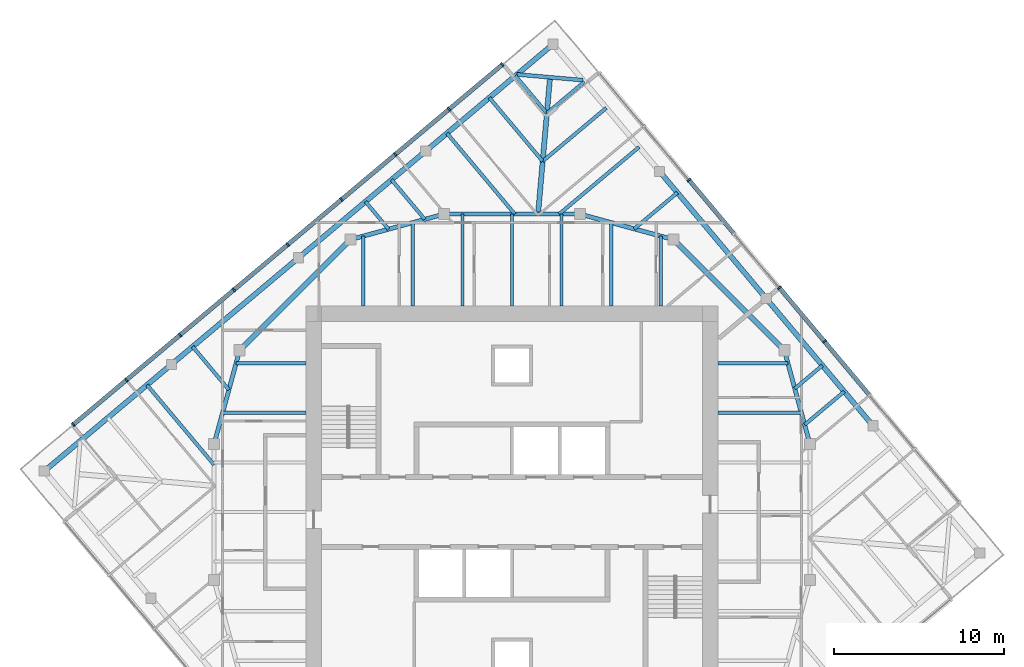
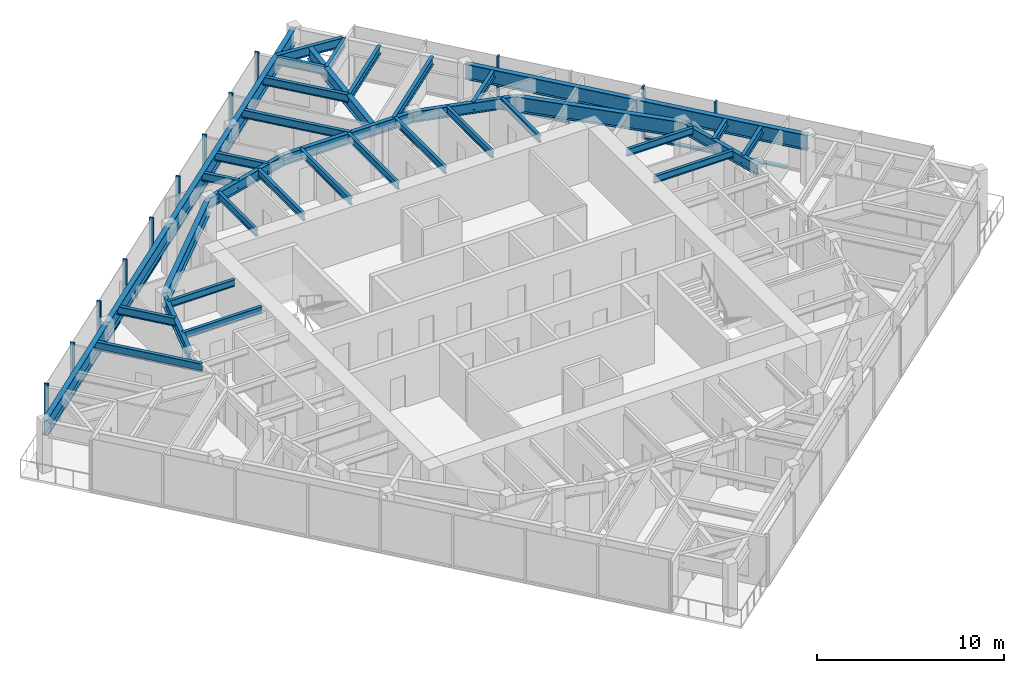
# One storey, part 4 of 11: 39 beams, 23 members, 2 elements without a shape of their own.
"""IFC4 building model written with IfcOpenShell, lengths in metres."""

from ifc_helpers import new_model, si_unit, direction, frame, origin, origin_2d, place, context, subcontext, project, spatial, rectangle, i_section, extrude, material, material_profile, profile_set, type_object, element, aggregate, save


model = new_model("IFC4")

# Units and contexts
model_context = context("Model", 3, precision=1e-05, world=origin(), true_north=direction((0.0, 1.0)))
body_context = subcontext(model_context, "Body", "Model", "MODEL_VIEW")
ifc_project = project(units=[si_unit("LENGTHUNIT", "METRE"), si_unit("AREAUNIT", "SQUARE_METRE"), si_unit("VOLUMEUNIT", "CUBIC_METRE"), si_unit("PLANEANGLEUNIT", "RADIAN"), si_unit("MASSUNIT", "GRAM", prefix="KILO")], contexts=[model_context])

# Site, building, storey
site_placement = place(None, origin())
site = spatial("IfcSite", under=ifc_project, at=site_placement, CompositionType="ELEMENT")
building_placement = place(site_placement, origin())
building = spatial("IfcBuilding", under=site, at=building_placement, Name="Torsade Residences", CompositionType="ELEMENT")
storey_placement = place(building_placement, frame((0.0, 0.0, 272.60009765625)))
storey = spatial("IfcBuildingStorey", under=building, at=storey_placement, Name="L75", CompositionType="ELEMENT", Elevation=272.60009765625)

# Beams
ifc_material_1 = material(Name="Steel grade 300", Category="steel")
ifc_material_profile_1 = material_profile(ifc_material_1, i_section(OverallWidth=0.300048828125, OverallDepth=0.800048828125, WebThickness=0.010009765625, FlangeThickness=0.02001953125, at=origin_2d()), Name="800WB146")
ifc_profile_set_1 = profile_set([ifc_material_profile_1], Name="Steel grade 300")
beam_type_1 = type_object("IfcBeamType", Name="CORNER GIRDER 800WB146", PredefinedType="BEAM", material=ifc_profile_set_1)
beam_1_placement = place(storey_placement, frame((42.234130859375, 55.53515625, 2.849853515625), z_axis=(-0.087172957961, -0.996193191806, 0.0), x_axis=(0.996193191806, -0.087172957961, 0.0)))
element("IfcBeam", 1, at=beam_1_placement, inside=storey, type_object=beam_type_1, Name="Corner girder 09 L76", PredefinedType="BEAM", context=body_context, shape_type="SweptSolid", body=[
    extrude(i_section(OverallWidth=0.300048828125, OverallDepth=0.800048828125, WebThickness=0.010009765625, FlangeThickness=0.02001953125, at=origin_2d()), origin(), (0.0, 0.0, 1.0), 8.06591796875),
])
ifc_material_2 = material(Name="Steel grade 300", Category="steel")
ifc_material_profile_2 = material_profile(ifc_material_2, i_section(OverallWidth=0.22802734375, OverallDepth=0.60205078125, WebThickness=0.010498046875, FlangeThickness=0.014892578125, FilletRadius=0.013916015625, at=origin_2d()), Name="610UB101")
ifc_profile_set_2 = profile_set([ifc_material_profile_2], Name="Steel grade 300")
beam_type_2 = type_object("IfcBeamType", Name="CORNER TRIMMER 610UB101", PredefinedType="BEAM", material=ifc_profile_set_2)
beam_2_placement = place(storey_placement, frame((40.296875, 55.70458984375, 2.948974609375), z_axis=(0.996196646947, -0.087133464362, 0.0), x_axis=(0.087133464362, 0.996196646947, 0.0)))
element("IfcBeam", 2, at=beam_2_placement, inside=storey, type_object=beam_type_2, Name="Corner trimmer 09 L76", PredefinedType="BEAM", context=body_context, shape_type="SweptSolid", body=[
    extrude(i_section(OverallWidth=0.22802734375, OverallDepth=0.60205078125, WebThickness=0.010498046875, FlangeThickness=0.014892578125, FilletRadius=0.013916015625, at=origin_2d()), origin(), (0.0, 0.0, 1.0), 3.88916015625),
])
ifc_material_3 = material(Name="Steel grade 300", Category="steel")
ifc_material_profile_3 = material_profile(ifc_material_3, i_section(OverallWidth=0.300048828125, OverallDepth=1.0, WebThickness=0.01611328125, FlangeThickness=0.028076171875, at=origin_2d()), Name="1000WB215")
ifc_profile_set_3 = profile_set([ifc_material_profile_3], Name="Steel grade 300")
beam_type_3 = type_object("IfcBeamType", Name="EDGE BEAM 1000WB215", PredefinedType="SPANDREL", material=ifc_profile_set_3)
for number, where, z_axis, x_axis, name in (
    (3, (61.205078125, 35.0654296875, 2.75), (-0.642779160279, 0.766051532934, 0.0), (-0.766051532934, -0.642779160279, 0.0), "Edge beam 06 L76"),
    (4, (54.93798828125, 42.534423828125, 2.75), (-0.642806184154, 0.766028856906, 0.0), (-0.766028856906, -0.642806184154, 0.0), "Edge beam 07 L76"),
    (5, (42.403564453125, 57.47216796875, 2.75), (-0.766051532934, -0.642779160279, 0.0), (0.642779160279, -0.766051532934, 0.0), "Edge beam 09 L76"),
    (6, (34.9345703125, 51.205078125, 2.75), (-0.766051532934, -0.642779160279, 0.0), (0.642779160279, -0.766051532934, 0.0), "Edge beam 10 L76"),
    (7, (27.465576171875, 44.93798828125, 2.75), (-0.766028856906, -0.642806184154, 0.0), (0.642806184154, -0.766028856906, 0.0), "Edge beam 11 L76"),
    (8, (19.996826171875, 38.670654296875, 2.75), (-0.766051532934, -0.642779160279, 0.0), (0.642779160279, -0.766051532934, 0.0), "Edge beam 12 L76"),
):
    element("IfcBeam", number, at=place(storey_placement, frame(where, z_axis=z_axis, x_axis=x_axis)), inside=storey, type_object=beam_type_3, Name=name, PredefinedType="SPANDREL", context=body_context, shape_type="SweptSolid", body=[
        extrude(i_section(OverallWidth=0.300048828125, OverallDepth=1.0, WebThickness=0.01611328125, FlangeThickness=0.028076171875, at=origin_2d()), origin(), (0.0, 0.0, 1.0), 9.75),
    ])

# Curtain wall, members
ifc_material_4 = material(Name="Aluminium and glass", Category="aluminium")
curtain_wall_type = type_object("IfcCurtainWallType", Name="FRITTED GLASS CURTAIN WALL HIGH ZONE", PredefinedType="NOTDEFINED", material=ifc_material_4)
curtain_wall_1_placement = place(storey_placement, origin())
curtain_wall_1 = element("IfcCurtainWall", 9, at=curtain_wall_1_placement, inside=storey, type_object=curtain_wall_type, Name="Curtain wall L75 face 4", PredefinedType="NOTDEFINED")
ifc_material_5 = material(Name="Aluminium mullion", Category="aluminium")
ifc_material_profile_4 = material_profile(ifc_material_5, rectangle(XDim=0.25, YDim=0.10009765625, at=origin_2d()), Name="HIGH ZONE CURTAIN WALL MULLION 250x100")
ifc_profile_set_4 = profile_set([ifc_material_profile_4], Name="Aluminium mullion")
member_type_1 = type_object("IfcMemberType", Name="HIGH ZONE CURTAIN WALL MULLION 250x100", PredefinedType="MULLION", material=ifc_profile_set_4)
member_1_placement = place(storey_placement, frame((58.35546875, 40.017333984375, 0.0), z_axis=(0.0, 0.0, 1.0), x_axis=(-0.766044437106, -0.642787616853, 0.0)))
member_1 = element("IfcMember", 10, at=member_1_placement, type_object=member_type_1, Name="Mullion 4", PredefinedType="MULLION", context=body_context, shape_type="SweptSolid", body=[
    extrude(rectangle(XDim=0.25, YDim=0.10009765625, at=origin_2d()), origin(), (0.0, 0.0, 1.0), 3.39990234375),
])
member_2_placement = place(storey_placement, frame((55.703857421875, 43.17724609375, 0.0), z_axis=(0.0, 0.0, 1.0), x_axis=(-0.766044437106, -0.642787616853, 0.0)))
member_2 = element("IfcMember", 11, at=member_2_placement, type_object=member_type_1, Name="Mullion 5", PredefinedType="MULLION", context=body_context, shape_type="SweptSolid", body=[
    extrude(rectangle(XDim=0.25, YDim=0.10009765625, at=origin_2d()), origin(), (0.0, 0.0, 1.0), 3.39990234375),
])
member_3_placement = place(storey_placement, frame((50.40087890625, 49.4970703125, 0.0), z_axis=(0.0, 0.0, 1.0), x_axis=(-0.766044437106, -0.642787616853, 0.0)))
member_3 = element("IfcMember", 12, at=member_3_placement, type_object=member_type_1, Name="Mullion 7", PredefinedType="MULLION", context=body_context, shape_type="SweptSolid", body=[
    extrude(rectangle(XDim=0.25, YDim=0.10009765625, at=origin_2d()), origin(), (0.0, 0.0, 1.0), 3.39990234375),
])

curtain_wall_2_placement = place(storey_placement, origin())
curtain_wall_2 = element("IfcCurtainWall", 13, at=curtain_wall_2_placement, inside=storey, type_object=curtain_wall_type, Name="Curtain wall L75 face 7", PredefinedType="NOTDEFINED")
member_4_placement = place(storey_placement, frame((39.42431640625, 56.27783203125, 0.0), z_axis=(0.0, 0.0, 1.0), x_axis=(0.642787616853, -0.766044437106, 0.0)))
member_4 = element("IfcMember", 14, at=member_4_placement, type_object=member_type_1, Name="Mullion 1", PredefinedType="MULLION", context=body_context, shape_type="SweptSolid", body=[
    extrude(rectangle(XDim=0.25, YDim=0.10009765625, at=origin_2d()), origin(), (0.0, 0.0, 1.0), 3.39990234375),
])
member_5_placement = place(storey_placement, frame((36.302734375, 53.658447265625, 0.0), z_axis=(0.0, 0.0, 1.0), x_axis=(0.642787616853, -0.766044437106, 0.0)))
member_5 = element("IfcMember", 15, at=member_5_placement, type_object=member_type_1, Name="Mullion 2", PredefinedType="MULLION", context=body_context, shape_type="SweptSolid", body=[
    extrude(rectangle(XDim=0.25, YDim=0.10009765625, at=origin_2d()), origin(), (0.0, 0.0, 1.0), 3.39990234375),
])
member_6_placement = place(storey_placement, frame((33.142822265625, 51.0068359375, 0.0), z_axis=(0.0, 0.0, 1.0), x_axis=(0.642787616853, -0.766044437106, 0.0)))
member_6 = element("IfcMember", 16, at=member_6_placement, type_object=member_type_1, Name="Mullion 3", PredefinedType="MULLION", context=body_context, shape_type="SweptSolid", body=[
    extrude(rectangle(XDim=0.25, YDim=0.10009765625, at=origin_2d()), origin(), (0.0, 0.0, 1.0), 3.39990234375),
])
member_7_placement = place(storey_placement, frame((29.982666015625, 48.35546875, 0.0), z_axis=(0.0, 0.0, 1.0), x_axis=(0.642787616853, -0.766044437106, 0.0)))
member_7 = element("IfcMember", 17, at=member_7_placement, type_object=member_type_1, Name="Mullion 4", PredefinedType="MULLION", context=body_context, shape_type="SweptSolid", body=[
    extrude(rectangle(XDim=0.25, YDim=0.10009765625, at=origin_2d()), origin(), (0.0, 0.0, 1.0), 3.39990234375),
])
member_8_placement = place(storey_placement, frame((26.82275390625, 45.703857421875, 0.0), z_axis=(0.0, 0.0, 1.0), x_axis=(0.642787616853, -0.766044437106, 0.0)))
member_8 = element("IfcMember", 18, at=member_8_placement, type_object=member_type_1, Name="Mullion 5", PredefinedType="MULLION", context=body_context, shape_type="SweptSolid", body=[
    extrude(rectangle(XDim=0.25, YDim=0.10009765625, at=origin_2d()), origin(), (0.0, 0.0, 1.0), 3.39990234375),
])
member_9_placement = place(storey_placement, frame((23.662841796875, 43.052490234375, 0.0), z_axis=(0.0, 0.0, 1.0), x_axis=(0.642787616853, -0.766044437106, 0.0)))
member_9 = element("IfcMember", 19, at=member_9_placement, type_object=member_type_1, Name="Mullion 6", PredefinedType="MULLION", context=body_context, shape_type="SweptSolid", body=[
    extrude(rectangle(XDim=0.25, YDim=0.10009765625, at=origin_2d()), origin(), (0.0, 0.0, 1.0), 3.39990234375),
])
member_10_placement = place(storey_placement, frame((20.5029296875, 40.40087890625, 0.0), z_axis=(0.0, 0.0, 1.0), x_axis=(0.642787616853, -0.766044437106, 0.0)))
member_10 = element("IfcMember", 20, at=member_10_placement, type_object=member_type_1, Name="Mullion 7", PredefinedType="MULLION", context=body_context, shape_type="SweptSolid", body=[
    extrude(rectangle(XDim=0.25, YDim=0.10009765625, at=origin_2d()), origin(), (0.0, 0.0, 1.0), 3.39990234375),
])
member_11_placement = place(storey_placement, frame((17.343017578125, 37.74951171875, 0.0), z_axis=(0.0, 0.0, 1.0), x_axis=(0.642787616853, -0.766044437106, 0.0)))
member_11 = element("IfcMember", 21, at=member_11_placement, type_object=member_type_1, Name="Mullion 8", PredefinedType="MULLION", context=body_context, shape_type="SweptSolid", body=[
    extrude(rectangle(XDim=0.25, YDim=0.10009765625, at=origin_2d()), origin(), (0.0, 0.0, 1.0), 3.39990234375),
])
member_12_placement = place(storey_placement, frame((14.221435546875, 35.130126953125, 0.0), z_axis=(0.0, 0.0, 1.0), x_axis=(0.642787616853, -0.766044437106, 0.0)))
member_12 = element("IfcMember", 22, at=member_12_placement, type_object=member_type_1, Name="Mullion 9", PredefinedType="MULLION", context=body_context, shape_type="SweptSolid", body=[
    extrude(rectangle(XDim=0.25, YDim=0.10009765625, at=origin_2d()), origin(), (0.0, 0.0, 1.0), 3.39990234375),
])

# Member
ifc_material_6 = material(Name="Aluminium transom", Category="aluminium")
ifc_material_profile_5 = material_profile(ifc_material_6, rectangle(XDim=0.25, YDim=0.1201171875, at=origin_2d()), Name="HIGH ZONE CURTAIN WALL TRANSOM 250x120")
ifc_profile_set_5 = profile_set([ifc_material_profile_5], Name="Aluminium transom")
member_type_2 = type_object("IfcMemberType", Name="HIGH ZONE CURTAIN WALL TRANSOM 250x120", PredefinedType="USERDEFINED", material=ifc_profile_set_5)
member_13_placement = place(storey_placement, frame((60.974853515625, 36.8955078125, 0.059814453125), z_axis=(-0.642793719372, 0.766039316443, 0.0), x_axis=(-0.766039316443, -0.642793719372, 0.0)))
member_13 = element("IfcMember", 23, at=member_13_placement, type_object=member_type_2, Name="Transom 3.1", ObjectType="TRANSOM", PredefinedType="USERDEFINED", context=body_context, shape_type="SweptSolid", body=[
    extrude(rectangle(XDim=0.25, YDim=0.1201171875, at=origin_2d()), origin(), (0.0, 0.0, 1.0), 4.025146484375),
])

member_14_placement = place(storey_placement, frame((58.3232421875, 40.055419921875, 0.059814453125), z_axis=(-0.6427581255, 0.766069182322, 0.0), x_axis=(-0.766069182322, -0.6427581255, 0.0)))
member_14 = element("IfcMember", 24, at=member_14_placement, type_object=member_type_2, Name="Transom 4.1", ObjectType="TRANSOM", PredefinedType="USERDEFINED", context=body_context, shape_type="SweptSolid", body=[
    extrude(rectangle(XDim=0.25, YDim=0.1201171875, at=origin_2d()), origin(), (0.0, 0.0, 1.0), 4.025146484375),
])

member_15_placement = place(storey_placement, frame((53.020263671875, 46.37548828125, 0.059814453125), z_axis=(-0.642787992616, 0.766044121803, 0.0), x_axis=(-0.766044121803, -0.642787992616, 0.0)))
member_15 = element("IfcMember", 25, at=member_15_placement, type_object=member_type_2, Name="Transom 6.1", ObjectType="TRANSOM", PredefinedType="USERDEFINED", context=body_context, shape_type="SweptSolid", body=[
    extrude(rectangle(XDim=0.25, YDim=0.1201171875, at=origin_2d()), origin(), (0.0, 0.0, 1.0), 4.02490234375),
])

aggregate(curtain_wall_1, [member_1, member_2, member_3, member_13, member_14, member_15])

member_16_placement = place(storey_placement, frame((39.385986328125, 56.24560546875, 0.059814453125), z_axis=(-0.766021778456, -0.642814619413, 0.0), x_axis=(0.642814619413, -0.766021778456, 0.0)))
member_16 = element("IfcMember", 26, at=member_16_placement, type_object=member_type_2, Name="Transom 1.1", ObjectType="TRANSOM", PredefinedType="USERDEFINED", context=body_context, shape_type="SweptSolid", body=[
    extrude(rectangle(XDim=0.25, YDim=0.1201171875, at=origin_2d()), origin(), (0.0, 0.0, 1.0), 3.97509765625),
])

member_17_placement = place(storey_placement, frame((36.264404296875, 53.626220703125, 0.059814453125), z_axis=(-0.766069182322, -0.6427581255, 0.0), x_axis=(0.6427581255, -0.766069182322, 0.0)))
member_17 = element("IfcMember", 27, at=member_17_placement, type_object=member_type_2, Name="Transom 2.1", ObjectType="TRANSOM", PredefinedType="USERDEFINED", context=body_context, shape_type="SweptSolid", body=[
    extrude(rectangle(XDim=0.25, YDim=0.1201171875, at=origin_2d()), origin(), (0.0, 0.0, 1.0), 4.025146484375),
])

member_18_placement = place(storey_placement, frame((33.1044921875, 50.974853515625, 0.059814453125), z_axis=(-0.766039316443, -0.642793719372, 0.0), x_axis=(0.642793719372, -0.766039316443, 0.0)))
member_18 = element("IfcMember", 28, at=member_18_placement, type_object=member_type_2, Name="Transom 3.1", ObjectType="TRANSOM", PredefinedType="USERDEFINED", context=body_context, shape_type="SweptSolid", body=[
    extrude(rectangle(XDim=0.25, YDim=0.1201171875, at=origin_2d()), origin(), (0.0, 0.0, 1.0), 4.025146484375),
])

member_19_placement = place(storey_placement, frame((29.944580078125, 48.3232421875, 0.059814453125), z_axis=(-0.766069182322, -0.6427581255, 0.0), x_axis=(0.6427581255, -0.766069182322, 0.0)))
member_19 = element("IfcMember", 29, at=member_19_placement, type_object=member_type_2, Name="Transom 4.1", ObjectType="TRANSOM", PredefinedType="USERDEFINED", context=body_context, shape_type="SweptSolid", body=[
    extrude(rectangle(XDim=0.25, YDim=0.1201171875, at=origin_2d()), origin(), (0.0, 0.0, 1.0), 4.025146484375),
])

member_20_placement = place(storey_placement, frame((26.78466796875, 45.671875, 0.059814453125), z_axis=(-0.766039316443, -0.642793719372, 0.0), x_axis=(0.642793719372, -0.766039316443, 0.0)))
member_20 = element("IfcMember", 30, at=member_20_placement, type_object=member_type_2, Name="Transom 5.1", ObjectType="TRANSOM", PredefinedType="USERDEFINED", context=body_context, shape_type="SweptSolid", body=[
    extrude(rectangle(XDim=0.25, YDim=0.1201171875, at=origin_2d()), origin(), (0.0, 0.0, 1.0), 4.025146484375),
])

member_21_placement = place(storey_placement, frame((23.62451171875, 43.020263671875, 0.059814453125), z_axis=(-0.766044121803, -0.642787992616, 0.0), x_axis=(0.642787992616, -0.766044121803, 0.0)))
member_21 = element("IfcMember", 31, at=member_21_placement, type_object=member_type_2, Name="Transom 6.1", ObjectType="TRANSOM", PredefinedType="USERDEFINED", context=body_context, shape_type="SweptSolid", body=[
    extrude(rectangle(XDim=0.25, YDim=0.1201171875, at=origin_2d()), origin(), (0.0, 0.0, 1.0), 4.02490234375),
])

member_22_placement = place(storey_placement, frame((20.464599609375, 40.36865234375, 0.059814453125), z_axis=(-0.766044121803, -0.642787992616, 0.0), x_axis=(0.642787992616, -0.766044121803, 0.0)))
member_22 = element("IfcMember", 32, at=member_22_placement, type_object=member_type_2, Name="Transom 7.1", ObjectType="TRANSOM", PredefinedType="USERDEFINED", context=body_context, shape_type="SweptSolid", body=[
    extrude(rectangle(XDim=0.25, YDim=0.1201171875, at=origin_2d()), origin(), (0.0, 0.0, 1.0), 4.02490234375),
])

member_23_placement = place(storey_placement, frame((17.3046875, 37.71728515625, 0.059814453125), z_axis=(-0.766021778456, -0.642814619413, 0.0), x_axis=(0.642814619413, -0.766021778456, 0.0)))
member_23 = element("IfcMember", 33, at=member_23_placement, type_object=member_type_2, Name="Transom 8.1", ObjectType="TRANSOM", PredefinedType="USERDEFINED", context=body_context, shape_type="SweptSolid", body=[
    extrude(rectangle(XDim=0.25, YDim=0.1201171875, at=origin_2d()), origin(), (0.0, 0.0, 1.0), 3.97509765625),
])

aggregate(curtain_wall_2, [member_4, member_5, member_6, member_7, member_8, member_9, member_10, member_11, member_12, member_16, member_17, member_18, member_19, member_20, member_21, member_22, member_23])

# Beams
ifc_material_7 = material(Name="Steel grade 300", Category="steel")
ifc_material_profile_6 = material_profile(ifc_material_7, i_section(OverallWidth=0.18994140625, OverallDepth=0.4541015625, WebThickness=0.008544921875, FlangeThickness=0.0126953125, FilletRadius=0.011474609375, at=origin_2d()), Name="460UB67.1")
ifc_profile_set_6 = profile_set([ifc_material_profile_6], Name="Steel grade 300")
beam_type_4 = type_object("IfcBeamType", Name="INNER FLOOR BEAM 460UB67.1", PredefinedType="JOIST", material=ifc_profile_set_6)
beam_3_placement = place(storey_placement, frame((31.262451171875, 42.10009765625, 3.02294921875), z_axis=(0.0, 1.0, 0.0), x_axis=(-1.0, 0.0, 0.0)))
element("IfcBeam", 34, at=beam_3_placement, inside=storey, type_object=beam_type_4, Name="Inner floor beam IN01 L76", PredefinedType="JOIST", context=body_context, shape_type="SweptSolid", body=[
    extrude(i_section(OverallWidth=0.18994140625, OverallDepth=0.4541015625, WebThickness=0.008544921875, FlangeThickness=0.0126953125, FilletRadius=0.011474609375, at=origin_2d()), origin(), (0.0, 0.0, 1.0), 4.10791015625),
])
beam_4_placement = place(storey_placement, frame((34.175048828125, 42.10009765625, 3.02294921875), z_axis=(0.0, 1.0, 0.0), x_axis=(-1.0, 0.0, 0.0)))
element("IfcBeam", 35, at=beam_4_placement, inside=storey, type_object=beam_type_4, Name="Inner floor beam IN02 L76", PredefinedType="JOIST", context=body_context, shape_type="SweptSolid", body=[
    extrude(i_section(OverallWidth=0.18994140625, OverallDepth=0.4541015625, WebThickness=0.008544921875, FlangeThickness=0.0126953125, FilletRadius=0.011474609375, at=origin_2d()), origin(), (0.0, 0.0, 1.0), 4.902099609375),
])
for number, where, z_axis, x_axis, name in (
    (36, (37.08740234375, 42.10009765625, 3.02294921875), (0.0, 1.0, 0.0), (-1.0, 0.0, 0.0), "Inner floor beam IN03 L76"),
    (37, (40.0, 42.10009765625, 3.02294921875), (0.0, 1.0, 0.0), (-1.0, 0.0, 0.0), "Inner floor beam IN04 L76"),
    (38, (42.91259765625, 42.10009765625, 3.02294921875), (0.0, 1.0, 0.0), (-1.0, 0.0, 0.0), "Inner floor beam IN05 L76"),
):
    element("IfcBeam", number, at=place(storey_placement, frame(where, z_axis=z_axis, x_axis=x_axis)), inside=storey, type_object=beam_type_4, Name=name, PredefinedType="JOIST", context=body_context, shape_type="SweptSolid", body=[
        extrude(i_section(OverallWidth=0.18994140625, OverallDepth=0.4541015625, WebThickness=0.008544921875, FlangeThickness=0.0126953125, FilletRadius=0.011474609375, at=origin_2d()), origin(), (0.0, 0.0, 1.0), 5.39990234375),
    ])
beam_5_placement = place(storey_placement, frame((45.824951171875, 42.10009765625, 3.02294921875), z_axis=(0.0, 1.0, 0.0), x_axis=(-1.0, 0.0, 0.0)))
element("IfcBeam", 39, at=beam_5_placement, inside=storey, type_object=beam_type_4, Name="Inner floor beam IN06 L76", PredefinedType="JOIST", context=body_context, shape_type="SweptSolid", body=[
    extrude(i_section(OverallWidth=0.18994140625, OverallDepth=0.4541015625, WebThickness=0.008544921875, FlangeThickness=0.0126953125, FilletRadius=0.011474609375, at=origin_2d()), origin(), (0.0, 0.0, 1.0), 4.902099609375),
])
beam_6_placement = place(storey_placement, frame((48.737548828125, 42.10009765625, 3.02294921875), z_axis=(0.0, 1.0, 0.0), x_axis=(-1.0, 0.0, 0.0)))
element("IfcBeam", 40, at=beam_6_placement, inside=storey, type_object=beam_type_4, Name="Inner floor beam IN07 L76", PredefinedType="JOIST", context=body_context, shape_type="SweptSolid", body=[
    extrude(i_section(OverallWidth=0.18994140625, OverallDepth=0.4541015625, WebThickness=0.008544921875, FlangeThickness=0.0126953125, FilletRadius=0.011474609375, at=origin_2d()), origin(), (0.0, 0.0, 1.0), 4.10791015625),
])
beam_7_placement = place(storey_placement, frame((52.10009765625, 35.824951171875, 3.02294921875), z_axis=(1.0, 0.0, 0.0), x_axis=(0.0, 1.0, 0.0)))
element("IfcBeam", 41, at=beam_7_placement, inside=storey, type_object=beam_type_4, Name="Inner floor beam IE06 L76", PredefinedType="JOIST", context=body_context, shape_type="SweptSolid", body=[
    extrude(i_section(OverallWidth=0.18994140625, OverallDepth=0.4541015625, WebThickness=0.008544921875, FlangeThickness=0.0126953125, FilletRadius=0.011474609375, at=origin_2d()), origin(), (0.0, 0.0, 1.0), 4.902099609375),
])
for number, where, z_axis, x_axis, name in (
    (42, (52.10009765625, 38.737548828125, 3.02294921875), (1.0, 0.0, 0.0), (0.0, 1.0, 0.0), "Inner floor beam IE07 L76"),
    (43, (27.89990234375, 38.737548828125, 3.02294921875), (-1.0, 0.0, 0.0), (0.0, -1.0, 0.0), "Inner floor beam IW01 L76"),
):
    element("IfcBeam", number, at=place(storey_placement, frame(where, z_axis=z_axis, x_axis=x_axis)), inside=storey, type_object=beam_type_4, Name=name, PredefinedType="JOIST", context=body_context, shape_type="SweptSolid", body=[
        extrude(i_section(OverallWidth=0.18994140625, OverallDepth=0.4541015625, WebThickness=0.008544921875, FlangeThickness=0.0126953125, FilletRadius=0.011474609375, at=origin_2d()), origin(), (0.0, 0.0, 1.0), 4.10791015625),
    ])
beam_8_placement = place(storey_placement, frame((27.89990234375, 35.824951171875, 3.02294921875), z_axis=(-1.0, 0.0, 0.0), x_axis=(0.0, -1.0, 0.0)))
element("IfcBeam", 44, at=beam_8_placement, inside=storey, type_object=beam_type_4, Name="Inner floor beam IW02 L76", PredefinedType="JOIST", context=body_context, shape_type="SweptSolid", body=[
    extrude(i_section(OverallWidth=0.18994140625, OverallDepth=0.4541015625, WebThickness=0.008544921875, FlangeThickness=0.0126953125, FilletRadius=0.011474609375, at=origin_2d()), origin(), (0.0, 0.0, 1.0), 4.902099609375),
])
ifc_material_8 = material(Name="Steel grade 300", Category="steel")
ifc_material_profile_7 = material_profile(ifc_material_8, i_section(OverallWidth=0.300048828125, OverallDepth=1.0, WebThickness=0.01611328125, FlangeThickness=0.028076171875, at=origin_2d()), Name="1000WB215")
ifc_profile_set_7 = profile_set([ifc_material_profile_7], Name="Steel grade 300")
beam_type_5 = type_object("IfcBeamType", Name="RING CORNER GIRDER 1000WB215", PredefinedType="BEAM", material=ifc_profile_set_7)
for number, where, z_axis, x_axis, name in (
    (45, (56.0, 39.5, 2.75), (-0.707106781187, 0.707106781187, 0.0), (-0.707106781187, -0.707106781187, 0.0), "Ring girder IR03 L76"),
    (46, (30.5, 46.0, 2.75), (-0.707106781187, -0.707106781187, 0.0), (0.707106781187, -0.707106781187, 0.0), "Ring girder IR07 L76"),
):
    element("IfcBeam", number, at=place(storey_placement, frame(where, z_axis=z_axis, x_axis=x_axis)), inside=storey, type_object=beam_type_5, Name=name, PredefinedType="BEAM", context=body_context, shape_type="SweptSolid", body=[
        extrude(i_section(OverallWidth=0.300048828125, OverallDepth=1.0, WebThickness=0.01611328125, FlangeThickness=0.028076171875, at=origin_2d()), origin(), (0.0, 0.0, 1.0), 9.1923828125),
    ])
ifc_material_9 = material(Name="Steel grade 300", Category="steel")
ifc_material_profile_8 = material_profile(ifc_material_9, i_section(OverallWidth=0.25, OverallDepth=0.699951171875, WebThickness=0.010009765625, FlangeThickness=0.02001953125, at=origin_2d()), Name="700WB130")
ifc_profile_set_8 = profile_set([ifc_material_profile_8], Name="Steel grade 300")
beam_type_6 = type_object("IfcBeamType", Name="RING GIRDER 700WB130", PredefinedType="BEAM", material=ifc_profile_set_8)
for number, where, z_axis, x_axis, name in (
    (47, (57.5, 34.0, 2.89990234375), (-0.263117405792, 0.964763821238, 0.0), (-0.964763821238, -0.263117405792, 0.0), "Ring girder IR02 L76"),
    (48, (49.5, 46.0, 2.89990234375), (-0.964763821238, 0.263117405792, 0.0), (-0.263117405792, -0.964763821238, 0.0), "Ring girder IR04 L76"),
):
    element("IfcBeam", number, at=place(storey_placement, frame(where, z_axis=z_axis, x_axis=x_axis)), inside=storey, type_object=beam_type_6, Name=name, PredefinedType="BEAM", context=body_context, shape_type="SweptSolid", body=[
        extrude(i_section(OverallWidth=0.25, OverallDepth=0.699951171875, WebThickness=0.010009765625, FlangeThickness=0.02001953125, at=origin_2d()), origin(), (0.0, 0.0, 1.0), 5.700927734375),
    ])
beam_9_placement = place(storey_placement, frame((44.0, 47.5, 2.89990234375), z_axis=(-1.0, 0.0, 0.0), x_axis=(0.0, -1.0, 0.0)))
element("IfcBeam", 49, at=beam_9_placement, inside=storey, type_object=beam_type_6, Name="Ring girder IR05 L76", PredefinedType="BEAM", context=body_context, shape_type="SweptSolid", body=[
    extrude(i_section(OverallWidth=0.25, OverallDepth=0.699951171875, WebThickness=0.010009765625, FlangeThickness=0.02001953125, at=origin_2d()), origin(), (0.0, 0.0, 1.0), 8.0),
])
for number, where, z_axis, x_axis, name in (
    (50, (36.0, 47.5, 2.89990234375), (-0.964763821238, -0.263117405792, 0.0), (0.263117405792, -0.964763821238, 0.0), "Ring girder IR06 L76"),
    (51, (24.0, 39.5, 2.89990234375), (-0.263117405792, -0.964763821238, 0.0), (0.964763821238, -0.263117405792, 0.0), "Ring girder IR08 L76"),
):
    element("IfcBeam", number, at=place(storey_placement, frame(where, z_axis=z_axis, x_axis=x_axis)), inside=storey, type_object=beam_type_6, Name=name, PredefinedType="BEAM", context=body_context, shape_type="SweptSolid", body=[
        extrude(i_section(OverallWidth=0.25, OverallDepth=0.699951171875, WebThickness=0.010009765625, FlangeThickness=0.02001953125, at=origin_2d()), origin(), (0.0, 0.0, 1.0), 5.700927734375),
    ])
ifc_material_10 = material(Name="Steel grade 300", Category="steel")
ifc_material_profile_9 = material_profile(ifc_material_10, i_section(OverallWidth=0.208984375, OverallDepth=0.532958984375, WebThickness=0.01025390625, FlangeThickness=0.015625, FilletRadius=0.013916015625, at=origin_2d()), Name="530UB92.4")
ifc_profile_set_9 = profile_set([ifc_material_profile_9], Name="Steel grade 300")
beam_type_7 = type_object("IfcBeamType", Name="SECONDARY BEAM 530UB92.4", PredefinedType="JOIST", material=ifc_profile_set_9)
beam_10_placement = place(storey_placement, frame((59.517822265625, 37.076171875, 2.9833984375), z_axis=(-0.766080361029, -0.64274480196, 0.0), x_axis=(0.64274480196, -0.766080361029, 0.0)))
element("IfcBeam", 52, at=beam_10_placement, inside=storey, type_object=beam_type_7, Name="Floor beam FE04 L76", PredefinedType="JOIST", context=body_context, shape_type="SweptSolid", body=[
    extrude(i_section(OverallWidth=0.208984375, OverallDepth=0.532958984375, WebThickness=0.01025390625, FlangeThickness=0.015625, FilletRadius=0.013916015625, at=origin_2d()), origin(), (0.0, 0.0, 1.0), 3.03466796875),
])
beam_11_placement = place(storey_placement, frame((58.232177734375, 38.6083984375, 2.9833984375), z_axis=(-0.766057560226, -0.642771977004, 0.0), x_axis=(0.642771977004, -0.766057560226, 0.0)))
element("IfcBeam", 53, at=beam_11_placement, inside=storey, type_object=beam_type_7, Name="Floor beam FE05 L76", PredefinedType="JOIST", context=body_context, shape_type="SweptSolid", body=[
    extrude(i_section(OverallWidth=0.208984375, OverallDepth=0.532958984375, WebThickness=0.01025390625, FlangeThickness=0.015625, FilletRadius=0.013916015625, at=origin_2d()), origin(), (0.0, 0.0, 1.0), 2.113037109375),
])
beam_12_placement = place(storey_placement, frame((49.71533203125, 48.758544921875, 2.9833984375), z_axis=(-0.766044990879, -0.642786956891, 0.0), x_axis=(0.642786956891, -0.766044990879, 0.0)))
element("IfcBeam", 54, at=beam_12_placement, inside=storey, type_object=beam_type_7, Name="Floor beam FE09 L76", PredefinedType="JOIST", context=body_context, shape_type="SweptSolid", body=[
    extrude(i_section(OverallWidth=0.208984375, OverallDepth=0.532958984375, WebThickness=0.01025390625, FlangeThickness=0.015625, FilletRadius=0.013916015625, at=origin_2d()), origin(), (0.0, 0.0, 1.0), 3.307861328125),
])
beam_13_placement = place(storey_placement, frame((47.465576171875, 51.439697265625, 2.9833984375), z_axis=(-0.766039049329, -0.642794037701, 0.0), x_axis=(0.642794037701, -0.766039049329, 0.0)))
element("IfcBeam", 55, at=beam_13_placement, inside=storey, type_object=beam_type_7, Name="Floor beam FE10 L76", PredefinedType="JOIST", context=body_context, shape_type="SweptSolid", body=[
    extrude(i_section(OverallWidth=0.208984375, OverallDepth=0.532958984375, WebThickness=0.01025390625, FlangeThickness=0.015625, FilletRadius=0.013916015625, at=origin_2d()), origin(), (0.0, 0.0, 1.0), 6.12890625),
])
beam_14_placement = place(storey_placement, frame((45.537109375, 53.73779296875, 2.9833984375), z_axis=(-0.766041186946, -0.642791490223, 0.0), x_axis=(0.642791490223, -0.766041186946, 0.0)))
element("IfcBeam", 56, at=beam_14_placement, inside=storey, type_object=beam_type_7, Name="Floor beam FE11 L76", PredefinedType="JOIST", context=body_context, shape_type="SweptSolid", body=[
    extrude(i_section(OverallWidth=0.208984375, OverallDepth=0.532958984375, WebThickness=0.01025390625, FlangeThickness=0.015625, FilletRadius=0.013916015625, at=origin_2d()), origin(), (0.0, 0.0, 1.0), 4.875),
])
for number, where, z_axis, x_axis, name in (
    (57, (44.25146484375, 55.269775390625, 2.9833984375), (-0.766066093402, -0.642761807001, 0.0), (0.642761807001, -0.766066093402, 0.0), "Floor beam FE12 L76"),
    (58, (40.201171875, 55.624267578125, 2.9833984375), (0.642761807001, -0.766066093402, 0.0), (0.766066093402, 0.642761807001, 0.0), "Floor beam FN01 L76"),
):
    element("IfcBeam", number, at=place(storey_placement, frame(where, z_axis=z_axis, x_axis=x_axis)), inside=storey, type_object=beam_type_7, Name=name, PredefinedType="JOIST", context=body_context, shape_type="SweptSolid", body=[
        extrude(i_section(OverallWidth=0.208984375, OverallDepth=0.532958984375, WebThickness=0.01025390625, FlangeThickness=0.015625, FilletRadius=0.013916015625, at=origin_2d()), origin(), (0.0, 0.0, 1.0), 2.875),
    ])
beam_15_placement = place(storey_placement, frame((38.6689453125, 54.338623046875, 2.9833984375), z_axis=(0.642820877376, -0.766016526982, 0.0), x_axis=(0.766016526982, 0.642820877376, 0.0)))
element("IfcBeam", 59, at=beam_15_placement, inside=storey, type_object=beam_type_7, Name="Floor beam FN02 L76", PredefinedType="JOIST", context=body_context, shape_type="SweptSolid", body=[
    extrude(i_section(OverallWidth=0.208984375, OverallDepth=0.532958984375, WebThickness=0.01025390625, FlangeThickness=0.015625, FilletRadius=0.013916015625, at=origin_2d()), origin(), (0.0, 0.0, 1.0), 4.875),
])
beam_16_placement = place(storey_placement, frame((36.179443359375, 52.24951171875, 2.9833984375), z_axis=(0.642791209238, -0.766041422722, 0.0), x_axis=(0.766041422722, 0.642791209238, 0.0)))
element("IfcBeam", 60, at=beam_16_placement, inside=storey, type_object=beam_type_7, Name="Floor beam FN03 L76", PredefinedType="JOIST", context=body_context, shape_type="SweptSolid", body=[
    extrude(i_section(OverallWidth=0.208984375, OverallDepth=0.532958984375, WebThickness=0.01025390625, FlangeThickness=0.015625, FilletRadius=0.013916015625, at=origin_2d()), origin(), (0.0, 0.0, 1.0), 6.199951171875),
])
beam_17_placement = place(storey_placement, frame((32.923828125, 49.517822265625, 2.9833984375), z_axis=(0.64274480196, -0.766080361029, 0.0), x_axis=(0.766080361029, 0.64274480196, 0.0)))
element("IfcBeam", 61, at=beam_17_placement, inside=storey, type_object=beam_type_7, Name="Floor beam FN04 L76", PredefinedType="JOIST", context=body_context, shape_type="SweptSolid", body=[
    extrude(i_section(OverallWidth=0.208984375, OverallDepth=0.532958984375, WebThickness=0.01025390625, FlangeThickness=0.015625, FilletRadius=0.013916015625, at=origin_2d()), origin(), (0.0, 0.0, 1.0), 3.03466796875),
])
beam_18_placement = place(storey_placement, frame((31.3916015625, 48.232177734375, 2.9833984375), z_axis=(0.642771977004, -0.766057560226, 0.0), x_axis=(0.766057560226, 0.642771977004, 0.0)))
element("IfcBeam", 62, at=beam_18_placement, inside=storey, type_object=beam_type_7, Name="Floor beam FN05 L76", PredefinedType="JOIST", context=body_context, shape_type="SweptSolid", body=[
    extrude(i_section(OverallWidth=0.208984375, OverallDepth=0.532958984375, WebThickness=0.01025390625, FlangeThickness=0.015625, FilletRadius=0.013916015625, at=origin_2d()), origin(), (0.0, 0.0, 1.0), 2.113037109375),
])
beam_19_placement = place(storey_placement, frame((21.241455078125, 39.71533203125, 2.9833984375), z_axis=(0.642786956891, -0.766044990879, 0.0), x_axis=(0.766044990879, 0.642786956891, 0.0)))
element("IfcBeam", 63, at=beam_19_placement, inside=storey, type_object=beam_type_7, Name="Floor beam FN09 L76", PredefinedType="JOIST", context=body_context, shape_type="SweptSolid", body=[
    extrude(i_section(OverallWidth=0.208984375, OverallDepth=0.532958984375, WebThickness=0.01025390625, FlangeThickness=0.015625, FilletRadius=0.013916015625, at=origin_2d()), origin(), (0.0, 0.0, 1.0), 3.307861328125),
])
beam_20_placement = place(storey_placement, frame((18.560302734375, 37.465576171875, 2.9833984375), z_axis=(0.642794037701, -0.766039049329, 0.0), x_axis=(0.766039049329, 0.642794037701, 0.0)))
element("IfcBeam", 64, at=beam_20_placement, inside=storey, type_object=beam_type_7, Name="Floor beam FN10 L76", PredefinedType="JOIST", context=body_context, shape_type="SweptSolid", body=[
    extrude(i_section(OverallWidth=0.208984375, OverallDepth=0.532958984375, WebThickness=0.01025390625, FlangeThickness=0.015625, FilletRadius=0.013916015625, at=origin_2d()), origin(), (0.0, 0.0, 1.0), 6.12890625),
])

save(model, "model.ifc")
